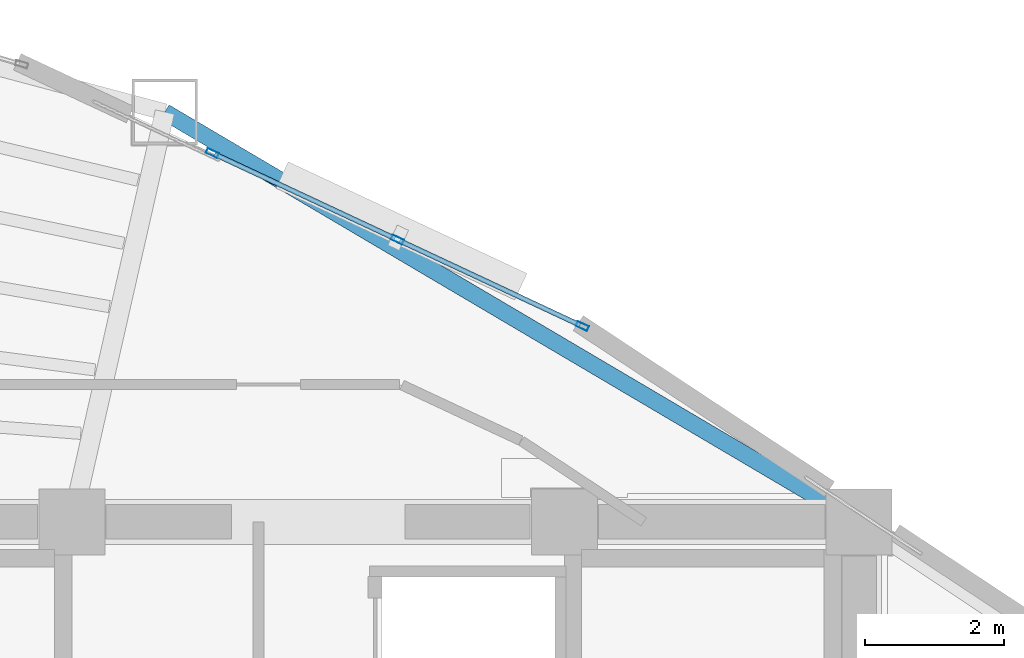
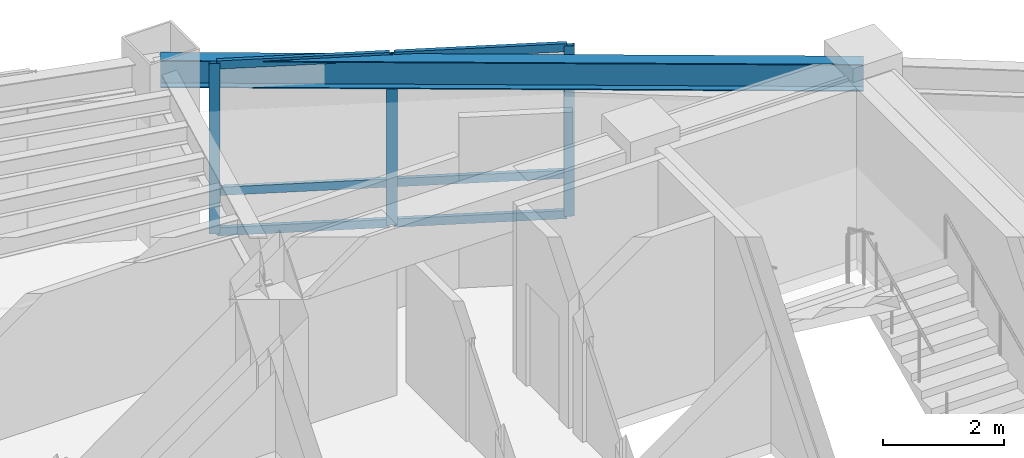
# One storey, part 8 of 16: 9 members, 1 beam, 1 element without a shape of its own.
"""IFC4 building model written with IfcOpenShell, lengths in metres."""

import ifcopenshell
import ifcopenshell.guid

model = None  # the IFC model being written
_history = None  # IfcOwnerHistory: only IFC2X3 demands one
_inside = {}  # id of a spatial element -> (the spatial element, [elements in it])
_under = {}  # id of a project, library or spatial element -> (it, [spatial elements below it])
_declared = {}  # id of a project -> (the project, [libraries it declares])
_typed = {}  # id of a type object -> (the type object, [elements of that type])
_made_of = {}  # id of a material, layer set ... -> (it, [elements and type objects made of it])


def new_model(schema):
    """Start an empty IFC model of exactly this schema.

    Asked for "IFC4X3", IfcOpenShell would pick the latest addendum, in which some entities
    have other attributes; the version numbers below select the first issue.
    IFC2X3 requires an IfcOwnerHistory on every rooted entity: one is made here for all.
    """
    global model, _history
    if schema == "IFC4X3":
        model = ifcopenshell.file(schema_version=(4, 3, 0, 0))
    else:
        model = ifcopenshell.file(schema=schema)
    _inside.clear()
    _under.clear()
    _declared.clear()
    _typed.clear()
    _made_of.clear()
    _history = None
    if model.schema == "IFC2X3":
        org = make("IfcOrganization", Name="unknown")
        user = make(
            "IfcPersonAndOrganization",
            ThePerson=make("IfcPerson", FamilyName="unknown"),
            TheOrganization=org,
        )
        app = make(
            "IfcApplication",
            ApplicationDeveloper=org,
            Version="unknown",
            ApplicationFullName="unknown",
            ApplicationIdentifier="unknown",
        )
        _history = make(
            "IfcOwnerHistory",
            OwningUser=user,
            OwningApplication=app,
            ChangeAction="ADDED",
            CreationDate=0,
        )
    return model


def make(cls, **values):
    """One entity of the class cls with the attributes given. An attribute that is None is left unset."""
    return model.create_entity(
        cls, **{name: value for name, value in values.items() if value is not None}
    )


def rooted(cls, **values):
    """An entity with a GlobalId (a new one), such as an element, a storey or a relation."""
    return make(cls, GlobalId=ifcopenshell.guid.new(), OwnerHistory=_history, **values)


def si_unit(unit_type, name, prefix=None):
    """IfcSIUnit, for example si_unit("LENGTHUNIT", "METRE", prefix="MILLI")."""
    return make("IfcSIUnit", UnitType=unit_type, Prefix=prefix, Name=name)


def assignment(units):
    """IfcUnitAssignment: the units of a project."""
    return None if units is None else make("IfcUnitAssignment", Units=units)


def point(xyz):
    """IfcCartesianPoint."""
    return None if xyz is None else make("IfcCartesianPoint", Coordinates=xyz)


def direction(xyz):
    """IfcDirection."""
    return None if xyz is None else make("IfcDirection", DirectionRatios=xyz)


def frame(location, z_axis=None, x_axis=None):
    """IfcAxis2Placement3D, a coordinate frame: its origin and axes. An axis left out is left unset."""
    return make(
        "IfcAxis2Placement3D",
        Location=point(location),
        Axis=direction(z_axis),
        RefDirection=direction(x_axis),
    )


def frame_2d(location, x_axis=None):
    """IfcAxis2Placement2D, a coordinate frame in the plane: its origin and x axis."""
    return make(
        "IfcAxis2Placement2D", Location=point(location), RefDirection=direction(x_axis)
    )


def origin():
    """The frame at (0, 0, 0) with its axes left unset."""
    return frame((0.0, 0.0, 0.0))


def origin_2d():
    """The frame at (0, 0) in the plane with its x axis left unset."""
    return frame_2d((0.0, 0.0))


def place(relative_to, where):
    """IfcLocalPlacement: puts the frame where relative to a parent placement (None: the world)."""
    return make(
        "IfcLocalPlacement", PlacementRelTo=relative_to, RelativePlacement=where
    )


def context(
    kind, dimensions, precision=None, world=None, true_north=None, identifier=None
):
    """IfcGeometricRepresentationContext, for example the 3D "Model" context."""
    return make(
        "IfcGeometricRepresentationContext",
        ContextIdentifier=identifier,
        ContextType=kind,
        CoordinateSpaceDimension=dimensions,
        Precision=precision,
        WorldCoordinateSystem=world,
        TrueNorth=true_north,
    )


def subcontext(parent, identifier, kind, view, scale=None):
    """IfcGeometricRepresentationSubContext, for example "Body" below "Model"."""
    return make(
        "IfcGeometricRepresentationSubContext",
        ContextIdentifier=identifier,
        ContextType=kind,
        ParentContext=parent,
        TargetScale=scale,
        TargetView=view,
    )


def project(units=None, contexts=None):
    """IfcProject with its units and contexts."""
    return rooted(
        "IfcProject",
        Name="project",
        RepresentationContexts=contexts,
        UnitsInContext=assignment(units),
    )


def spatial(cls, under=None, at=None, **own):
    """A site, building, storey or space (cls), placed at a placement, below another one or the project."""
    s = rooted(cls, ObjectPlacement=at, **own)
    if under is not None:
        _under.setdefault(under.id(), (under, []))[1].append(s)
    return s


def profile(cls, at=None, kind="AREA", **sizes):
    """A parametric profile (cls). Its sizes go by their IFC names, for example OverallWidth=200.0."""
    return make(cls, ProfileType=kind, Position=at, **sizes)


def hollow_rectangle(**sizes):
    """IfcRectangleHollowProfileDef."""
    return profile("IfcRectangleHollowProfileDef", **sizes)


def i_section(**sizes):
    """IfcIShapeProfileDef."""
    return profile("IfcIShapeProfileDef", **sizes)


def extrude(swept, where, along, depth):
    """IfcExtrudedAreaSolid: the profile swept, set in the frame where, extruded along a direction by depth."""
    return make(
        "IfcExtrudedAreaSolid",
        SweptArea=swept,
        Position=where,
        ExtrudedDirection=direction(along),
        Depth=depth,
    )


def shape(context_of_items, identifier, shape_type, items):
    """IfcShapeRepresentation: the items that make up one representation, for example the "Body"."""
    return make(
        "IfcShapeRepresentation",
        ContextOfItems=context_of_items,
        RepresentationIdentifier=identifier,
        RepresentationType=shape_type,
        Items=items,
    )


def material(Name=None, Category=None):
    """IfcMaterial."""
    return make("IfcMaterial", Name=Name, Category=Category)


def layer(
    of_material, thickness, ventilated=None, Name=None, Category=None, Priority=None
):
    """IfcMaterialLayer: one layer of a wall or slab, of a material (None: an air gap)."""
    return make(
        "IfcMaterialLayer",
        Material=of_material,
        LayerThickness=thickness,
        IsVentilated=ventilated,
        Name=Name,
        Category=Category,
        Priority=Priority,
    )


def layer_set(layers, Name=None):
    """IfcMaterialLayerSet."""
    return make("IfcMaterialLayerSet", MaterialLayers=layers, LayerSetName=Name)


def material_profile(
    of_material, cross_section, Name=None, Category=None, Priority=None
):
    """IfcMaterialProfile: a cross section and its material."""
    return make(
        "IfcMaterialProfile",
        Name=Name,
        Material=of_material,
        Profile=cross_section,
        Priority=Priority,
        Category=Category,
    )


def profile_set(profiles, Name=None, composite=None):
    """IfcMaterialProfileSet."""
    return make(
        "IfcMaterialProfileSet",
        Name=Name,
        MaterialProfiles=profiles,
        CompositeProfile=composite,
    )


def made_of(thing, what):
    """Note that an element or type object is made of a material, layer set ...; save() writes the relation."""
    if what is not None:
        _made_of.setdefault(what.id(), (what, []))[1].append(thing)
    return thing


def type_object(cls, material=None, **own):
    """A type object (cls), such as IfcWallType, which elements share."""
    return made_of(rooted(cls, **own), material)


def element(
    cls,
    number,
    at=None,
    inside=None,
    cuts=None,
    type_object=None,
    material=None,
    context=None,
    identifier="Body",
    shape_type=None,
    held_by="IfcProductDefinitionShape",
    body=None,
    shapes=None,
    **own,
):
    """One element of the class cls, such as IfcWall. Its Tag is "e" and its number.

    at: its placement. inside: the storey or other place that contains it. cuts: it is an
    opening in that element (IfcRelVoidsElement). A single representation is given by context,
    identifier, shape_type and body (its items); several are given by shapes. held_by: the class
    of the entity that holds the representations. save() writes the other relations.
    """
    e = rooted(cls, Tag="e%d" % number, ObjectPlacement=at, **own)
    if body is not None:
        shapes = [shape(context, identifier, shape_type, body)]
    if shapes is not None:
        e.Representation = make(held_by, Representations=shapes)
    if inside is not None:
        _inside.setdefault(inside.id(), (inside, []))[1].append(e)
    if cuts is not None:
        rooted(
            "IfcRelVoidsElement", RelatingBuildingElement=cuts, RelatedOpeningElement=e
        )
    if type_object is not None:
        _typed.setdefault(type_object.id(), (type_object, []))[1].append(e)
    return made_of(e, material)


def aggregate(whole, parts):
    """IfcRelAggregates: a whole, such as a stair, and the parts it consists of."""
    return rooted("IfcRelAggregates", RelatingObject=whole, RelatedObjects=parts)


def save(model, path):
    """Write the relations noted so far, then the file.

    IfcRelAggregates (storeys below a building ...), IfcRelContainedInSpatialStructure (elements
    in a storey), IfcRelDefinesByType, IfcRelAssociatesMaterial and IfcRelDeclares: one each for
    every whole, place, type object, material and project.
    """
    for whole, parts in _under.values():
        aggregate(whole, parts)
    for where, things in _inside.values():
        rooted(
            "IfcRelContainedInSpatialStructure",
            RelatedElements=things,
            RelatingStructure=where,
        )
    for kind, things in _typed.values():
        rooted("IfcRelDefinesByType", RelatedObjects=things, RelatingType=kind)
    for what, things in _made_of.values():
        rooted("IfcRelAssociatesMaterial", RelatedObjects=things, RelatingMaterial=what)
    for by, libraries in _declared.values():
        rooted("IfcRelDeclares", RelatingContext=by, RelatedDefinitions=libraries)
    model.write(path)


model = new_model("IFC4")

# Units and contexts
model_context = context("Model", 3, precision=1e-05, world=origin(), true_north=direction((0.0, 1.0)))
body_context = subcontext(model_context, "Body", "Model", "MODEL_VIEW")
ifc_project = project(units=[si_unit("LENGTHUNIT", "METRE"), si_unit("AREAUNIT", "SQUARE_METRE"), si_unit("VOLUMEUNIT", "CUBIC_METRE"), si_unit("PLANEANGLEUNIT", "RADIAN"), si_unit("MASSUNIT", "GRAM", prefix="KILO")], contexts=[model_context])

# Site, building, storey
site_placement = place(None, origin())
site = spatial("IfcSite", under=ifc_project, at=site_placement, CompositionType="ELEMENT")
building_placement = place(site_placement, origin())
building = spatial("IfcBuilding", under=site, at=building_placement, Name="Menara Vayukalpa", CompositionType="ELEMENT")
storey_placement = place(building_placement, frame((0.0, 0.0, 202.679931640625)))
storey = spatial("IfcBuildingStorey", under=building, at=storey_placement, Name="L51", CompositionType="ELEMENT", Elevation=202.679931640625)

# Beam
ifc_material_1 = material(Name="Steel S355", Category="steel")
ifc_material_profile_1 = material_profile(ifc_material_1, i_section(OverallWidth=0.239990234375, OverallDepth=0.550048828125, WebThickness=0.010986328125, FlangeThickness=0.01904296875, at=origin_2d()), Name="WF 550x240x11x19")
ifc_profile_set_1 = profile_set([ifc_material_profile_1], Name="Steel S355")
beam_type = type_object("IfcBeamType", Name="BM-SP2", PredefinedType="SPANDREL", material=ifc_profile_set_1)
beam_placement = place(storey_placement, frame((33.39990234375, 26.800048828125, 3.1650390625), z_axis=(-0.861184403346, 0.508292655302, 0.0), x_axis=(-0.508292655302, -0.861184403346, 0.0)))
element("IfcBeam", 1, at=beam_placement, inside=storey, type_object=beam_type, Name="L51 Perimeter Spandrel Beam SP02", PredefinedType="SPANDREL", context=body_context, shape_type="SweptSolid", body=[
    extrude(i_section(OverallWidth=0.239990234375, OverallDepth=0.550048828125, WebThickness=0.010986328125, FlangeThickness=0.01904296875, at=origin_2d()), origin(), (0.0, 0.0, 1.0), 11.6240234375),
])

# Curtain wall, members
ifc_material_2 = material(Name="Anodised Terracotta Aluminium Alloy 6063-T6", Category="masonry")
ifc_layer = layer(ifc_material_2, 0.179931640625)
ifc_layer_set = layer_set([ifc_layer], Name="Anodised Terracotta Aluminium Alloy 6063-T6")
curtain_wall_type = type_object("IfcCurtainWallType", Name="CW-CW4", PredefinedType="USERDEFINED", material=ifc_layer_set)
curtain_wall_placement = place(storey_placement, origin())
curtain_wall = element("IfcCurtainWall", 2, at=curtain_wall_placement, inside=storey, type_object=curtain_wall_type, Name="L51 Sky Bar Cantilever Glazed Curtain Wall CW4 05", ObjectType="UNITISED", PredefinedType="USERDEFINED")
ifc_material_3 = material(Name="Anodised Terracotta Aluminium Alloy 6063-T6", Category="masonry")
ifc_material_profile_2 = material_profile(ifc_material_3, hollow_rectangle(XDim=0.074951171875, YDim=0.179931640625, WallThickness=0.00390625, at=origin_2d()), Name="ALU 75x180x4")
ifc_profile_set_2 = profile_set([ifc_material_profile_2], Name="Anodised Terracotta Aluminium Alloy 6063-T6")
member_type_1 = type_object("IfcMemberType", Name="CWM-CW4", PredefinedType="MULLION", material=ifc_profile_set_2)
member_1_placement = place(storey_placement, frame((29.408447265625, 29.62109375, 0.0), z_axis=(0.0, 0.0, 1.0), x_axis=(-0.423743699648, -0.90578213551, 0.0)))
member_1 = element("IfcMember", 3, at=member_1_placement, type_object=member_type_1, Name="CW4 mullion 1", PredefinedType="MULLION", context=body_context, shape_type="SweptSolid", body=[
    extrude(hollow_rectangle(XDim=0.074951171875, YDim=0.179931640625, WallThickness=0.00390625, at=origin_2d()), origin(), (0.0, 0.0, 1.0), 3.440185546875),
])
member_2_placement = place(storey_placement, frame((26.741943359375, 30.868408203125, 0.0), z_axis=(0.0, 0.0, 1.0), x_axis=(-0.423743699648, -0.90578213551, 0.0)))
member_2 = element("IfcMember", 4, at=member_2_placement, type_object=member_type_1, Name="CW4 mullion 2", PredefinedType="MULLION", context=body_context, shape_type="SweptSolid", body=[
    extrude(hollow_rectangle(XDim=0.074951171875, YDim=0.179931640625, WallThickness=0.00390625, at=origin_2d()), origin(), (0.0, 0.0, 1.0), 3.440185546875),
])
member_3_placement = place(storey_placement, frame((24.075439453125, 32.115966796875, 0.0), z_axis=(0.0, 0.0, 1.0), x_axis=(-0.423743699648, -0.90578213551, 0.0)))
member_3 = element("IfcMember", 5, at=member_3_placement, type_object=member_type_1, Name="CW4 mullion 3", PredefinedType="MULLION", context=body_context, shape_type="SweptSolid", body=[
    extrude(hollow_rectangle(XDim=0.074951171875, YDim=0.179931640625, WallThickness=0.00390625, at=origin_2d()), origin(), (0.0, 0.0, 1.0), 3.440185546875),
])
ifc_material_4 = material(Name="Anodised Terracotta Aluminium Alloy 6063-T6", Category="masonry")
ifc_material_profile_3 = material_profile(ifc_material_4, hollow_rectangle(XDim=0.070068359375, YDim=0.1650390625, WallThickness=0.00390625, at=origin_2d()), Name="ALU 70x165x4")
ifc_profile_set_3 = profile_set([ifc_material_profile_3], Name="Anodised Terracotta Aluminium Alloy 6063-T6")
member_type_2 = type_object("IfcMemberType", Name="CWT-CW4", PredefinedType="USERDEFINED", material=ifc_profile_set_3)
member_4_placement = place(storey_placement, frame((29.37451171875, 29.636962890625, 0.03515625), z_axis=(-0.905797954054, 0.423709884746, 0.0), x_axis=(-0.423709884746, -0.905797954054, 0.0)))
member_4 = element("IfcMember", 6, at=member_4_placement, type_object=member_type_2, Name="CW4 transom 1.1", ObjectType="TRANSOM", PredefinedType="USERDEFINED", context=body_context, shape_type="SweptSolid", body=[
    extrude(hollow_rectangle(XDim=0.070068359375, YDim=0.1650390625, WallThickness=0.00390625, at=origin_2d()), origin(), (0.0, 0.0, 1.0), 2.868896484375),
])
member_5_placement = place(storey_placement, frame((29.37451171875, 29.636962890625, 0.85009765625), z_axis=(-0.905797954054, 0.423709884746, 0.0), x_axis=(-0.423709884746, -0.905797954054, 0.0)))
member_5 = element("IfcMember", 7, at=member_5_placement, type_object=member_type_2, Name="CW4 transom 1.2", ObjectType="TRANSOM", PredefinedType="USERDEFINED", context=body_context, shape_type="SweptSolid", body=[
    extrude(hollow_rectangle(XDim=0.070068359375, YDim=0.1650390625, WallThickness=0.00390625, at=origin_2d()), origin(), (0.0, 0.0, 1.0), 2.868896484375),
])
member_6_placement = place(storey_placement, frame((29.37451171875, 29.636962890625, 3.405029296875), z_axis=(-0.905797954054, 0.423709884746, 0.0), x_axis=(-0.423709884746, -0.905797954054, 0.0)))
member_6 = element("IfcMember", 8, at=member_6_placement, type_object=member_type_2, Name="CW4 transom 1.3", ObjectType="TRANSOM", PredefinedType="USERDEFINED", context=body_context, shape_type="SweptSolid", body=[
    extrude(hollow_rectangle(XDim=0.070068359375, YDim=0.1650390625, WallThickness=0.00390625, at=origin_2d()), origin(), (0.0, 0.0, 1.0), 2.868896484375),
])
member_7_placement = place(storey_placement, frame((26.7080078125, 30.88427734375, 0.03515625), z_axis=(-0.905765291772, 0.423779702464, 0.0), x_axis=(-0.423779702464, -0.905765291772, 0.0)))
member_7 = element("IfcMember", 9, at=member_7_placement, type_object=member_type_2, Name="CW4 transom 2.1", ObjectType="TRANSOM", PredefinedType="USERDEFINED", context=body_context, shape_type="SweptSolid", body=[
    extrude(hollow_rectangle(XDim=0.070068359375, YDim=0.1650390625, WallThickness=0.00390625, at=origin_2d()), origin(), (0.0, 0.0, 1.0), 2.868896484375),
])
member_8_placement = place(storey_placement, frame((26.7080078125, 30.88427734375, 0.85009765625), z_axis=(-0.905765291772, 0.423779702464, 0.0), x_axis=(-0.423779702464, -0.905765291772, 0.0)))
member_8 = element("IfcMember", 10, at=member_8_placement, type_object=member_type_2, Name="CW4 transom 2.2", ObjectType="TRANSOM", PredefinedType="USERDEFINED", context=body_context, shape_type="SweptSolid", body=[
    extrude(hollow_rectangle(XDim=0.070068359375, YDim=0.1650390625, WallThickness=0.00390625, at=origin_2d()), origin(), (0.0, 0.0, 1.0), 2.868896484375),
])
member_9_placement = place(storey_placement, frame((26.7080078125, 30.88427734375, 3.405029296875), z_axis=(-0.905765291772, 0.423779702464, 0.0), x_axis=(-0.423779702464, -0.905765291772, 0.0)))
member_9 = element("IfcMember", 11, at=member_9_placement, type_object=member_type_2, Name="CW4 transom 2.3", ObjectType="TRANSOM", PredefinedType="USERDEFINED", context=body_context, shape_type="SweptSolid", body=[
    extrude(hollow_rectangle(XDim=0.070068359375, YDim=0.1650390625, WallThickness=0.00390625, at=origin_2d()), origin(), (0.0, 0.0, 1.0), 2.868896484375),
])
aggregate(curtain_wall, [member_1, member_2, member_3, member_4, member_5, member_6, member_7, member_8, member_9])

save(model, "model.ifc")
